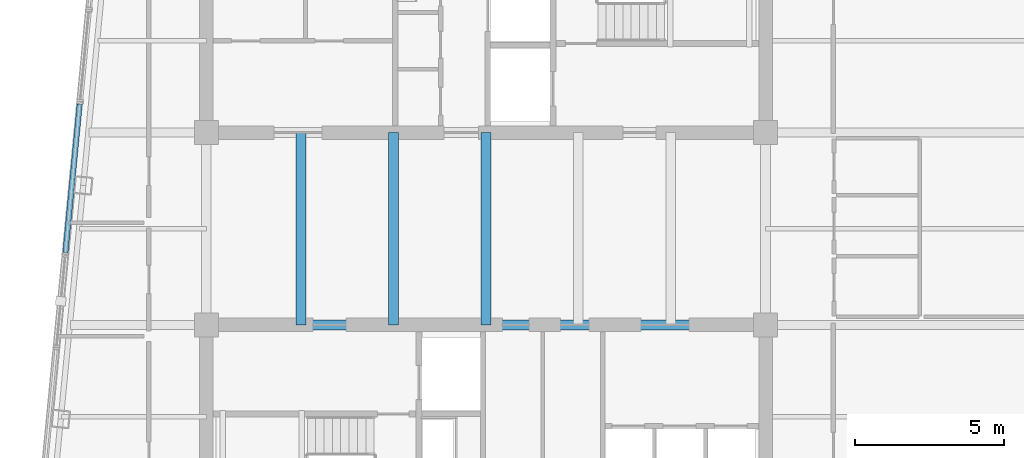
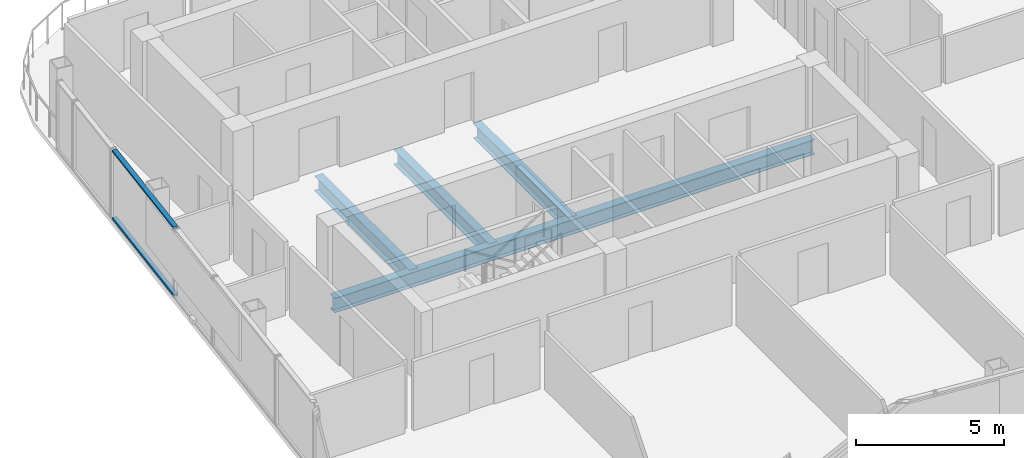
# One storey, part 8 of 23: 4 beams, 2 members, 1 element without a shape of its own.
"""IFC4 building model written with IfcOpenShell, lengths in metres."""

from ifc_helpers import new_model, si_unit, direction, frame, origin, origin_2d, place, context, subcontext, project, spatial, hollow_rectangle, i_section, extrude, material, layer, layer_set, material_profile, profile_set, type_object, element, aggregate, save


model = new_model("IFC4")

# Units and contexts
model_context = context("Model", 3, precision=1e-05, world=origin(), true_north=direction((0.0, 1.0)))
body_context = subcontext(model_context, "Body", "Model", "MODEL_VIEW")
ifc_project = project(units=[si_unit("LENGTHUNIT", "METRE"), si_unit("AREAUNIT", "SQUARE_METRE"), si_unit("VOLUMEUNIT", "CUBIC_METRE"), si_unit("PLANEANGLEUNIT", "RADIAN"), si_unit("MASSUNIT", "GRAM", prefix="KILO")], contexts=[model_context])

# Site, building, storey
site_placement = place(None, origin())
site = spatial("IfcSite", under=ifc_project, at=site_placement, CompositionType="ELEMENT")
building_placement = place(site_placement, origin())
building = spatial("IfcBuilding", under=site, at=building_placement, Name="Qhalaya Broadcast Tower", CompositionType="ELEMENT")
storey_placement = place(building_placement, frame((0.0, 0.0, 261.14990234375)))
storey = spatial("IfcBuildingStorey", under=building, at=storey_placement, Name="L77", CompositionType="ELEMENT", Elevation=261.14990234375)

# Beams
ifc_material_1 = material(Name="Structural Steel ASTM A992 Grade 50", Category="steel")
ifc_material_profile_1 = material_profile(ifc_material_1, i_section(OverallWidth=0.323974609375, OverallDepth=0.612060546875, WebThickness=0.0126953125, FlangeThickness=0.01904296875, at=origin_2d()), Name="W24X104")
ifc_profile_set_1 = profile_set([ifc_material_profile_1], Name="Structural Steel ASTM A992 Grade 50")
beam_type = type_object("IfcBeamType", Name="Core Frame Tie Beam B04", PredefinedType="BEAM", material=ifc_profile_set_1)
beam_placement = place(storey_placement, frame((-9.375, -2.625, -0.495849609375), z_axis=(1.0, 0.0, 0.0), x_axis=(0.0, 1.0, 0.0)))
element("IfcBeam", 1, at=beam_placement, inside=storey, type_object=beam_type, Name="L77 B04 L77-CCS1", PredefinedType="BEAM", context=body_context, shape_type="SweptSolid", body=[
    extrude(i_section(OverallWidth=0.323974609375, OverallDepth=0.612060546875, WebThickness=0.0126953125, FlangeThickness=0.01904296875, at=origin_2d()), origin(), (0.0, 0.0, 1.0), 18.75),
])
for number, where, z_axis, x_axis, name in (
    (2, (-6.199951171875, -2.625, -0.495849609375), (0.0, 1.0, 0.0), (-1.0, 0.0, 0.0), "L77 B04 L77-JC1-1"),
    (3, (-3.10009765625, -2.625, -0.495849609375), (0.0, 1.0, 0.0), (-1.0, 0.0, 0.0), "L77 B04 L77-JC2-1"),
    (4, (0.0, -2.625, -0.495849609375), (0.0, 1.0, 0.0), (-1.0, 0.0, 0.0), "L77 B04 L77-JC3-1"),
):
    element("IfcBeam", number, at=place(storey_placement, frame(where, z_axis=z_axis, x_axis=x_axis)), inside=storey, type_object=beam_type, Name=name, PredefinedType="BEAM", context=body_context, shape_type="SweptSolid", body=[
        extrude(i_section(OverallWidth=0.323974609375, OverallDepth=0.612060546875, WebThickness=0.0126953125, FlangeThickness=0.01904296875, at=origin_2d()), origin(), (0.0, 0.0, 1.0), 6.449951171875),
    ])

# Curtain wall, members
ifc_material_2 = material(Name="Fired Architectural Terracotta", Category="masonry")
ifc_layer = layer(ifc_material_2, 0.219970703125, Name="Fired Architectural Terracotta")
ifc_layer_set = layer_set([ifc_layer], Name="Fired Architectural Terracotta")
curtain_wall_type = type_object("IfcCurtainWallType", Name="Block-Cap Unitised Terracotta Spandrel Wall CW-07", PredefinedType="NOTDEFINED", material=ifc_layer_set)
curtain_wall_placement = place(storey_placement, origin())
curtain_wall = element("IfcCurtainWall", 5, at=curtain_wall_placement, inside=storey, type_object=curtain_wall_type, Name="L77 Unitised Curtain Wall L77-CW-W3", PredefinedType="NOTDEFINED")
ifc_material_3 = material(Name="Anodised Aluminium 6063-T6", Category="aluminium")
ifc_material_profile_2 = material_profile(ifc_material_3, hollow_rectangle(XDim=0.074951171875, YDim=0.179931640625, WallThickness=0.00390625, at=origin_2d()), Name="ALU-TRN 75x180x4")
ifc_profile_set_2 = profile_set([ifc_material_profile_2], Name="Anodised Aluminium 6063-T6")
member_type = type_object("IfcMemberType", Name="Unitised Curtain-Wall Transom T01", PredefinedType="USERDEFINED", material=ifc_profile_set_2)
member_1_placement = place(storey_placement, frame((-13.62158203125, 4.780029296875, 0.03759765625), z_axis=(-0.095862921308, -0.995394545052, 0.0), x_axis=(0.0, 0.0, 1.0)))
member_1 = element("IfcMember", 6, at=member_1_placement, type_object=member_type, Name="CW-07 transom 1.1", ObjectType="TRANSOM", PredefinedType="USERDEFINED", context=body_context, shape_type="SweptSolid", body=[
    extrude(hollow_rectangle(XDim=0.074951171875, YDim=0.179931640625, WallThickness=0.00390625, at=origin_2d()), origin(), (0.0, 0.0, 1.0), 5.0068359375),
])
member_2_placement = place(storey_placement, frame((-13.62158203125, 4.780029296875, 2.822509765625), z_axis=(-0.095862921308, -0.995394545052, 0.0), x_axis=(0.0, 0.0, 1.0)))
member_2 = element("IfcMember", 7, at=member_2_placement, type_object=member_type, Name="CW-07 transom 1.2", ObjectType="TRANSOM", PredefinedType="USERDEFINED", context=body_context, shape_type="SweptSolid", body=[
    extrude(hollow_rectangle(XDim=0.074951171875, YDim=0.179931640625, WallThickness=0.00390625, at=origin_2d()), origin(), (0.0, 0.0, 1.0), 5.0068359375),
])
aggregate(curtain_wall, [member_1, member_2])

save(model, "model.ifc")
